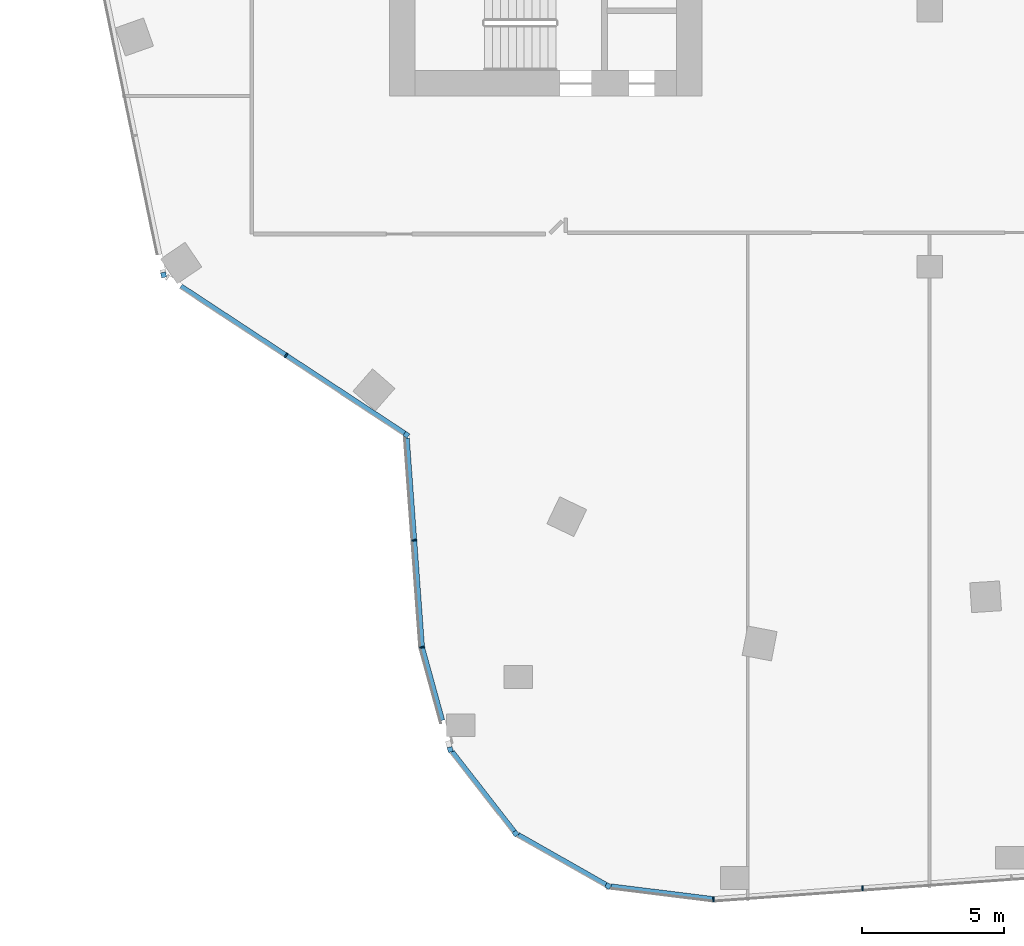
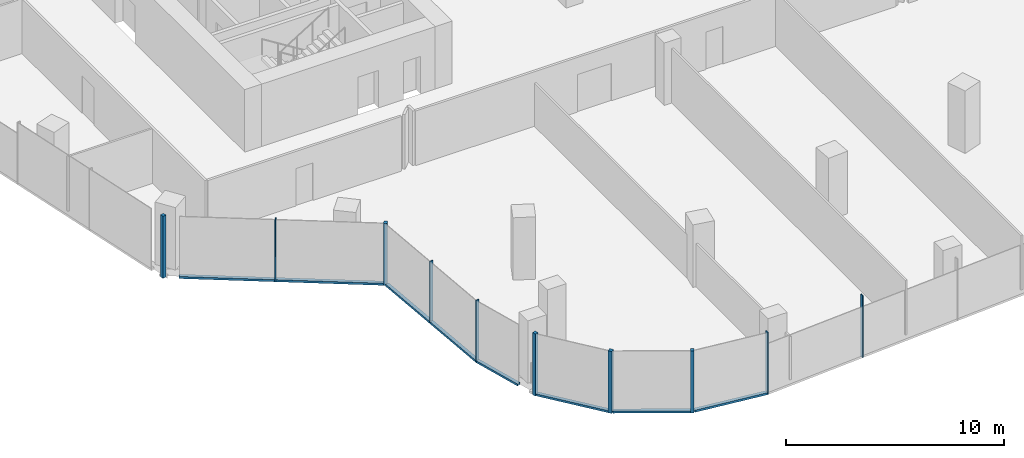
# One storey, part 2 of 24: 16 members, 8 elements without a shape of their own.
"""IFC4 building model written with IfcOpenShell, lengths in metres."""

from ifc_helpers import new_model, si_unit, direction, frame, origin, origin_2d, place, context, subcontext, project, spatial, rectangle, extrude, material, material_profile, profile_set, type_object, element, aggregate, save


model = new_model("IFC4")

# Units and contexts
model_context = context("Model", 3, precision=1e-05, world=origin(), true_north=direction((0.0, 1.0)))
body_context = subcontext(model_context, "Body", "Model", "MODEL_VIEW")
ifc_project = project(units=[si_unit("LENGTHUNIT", "METRE"), si_unit("AREAUNIT", "SQUARE_METRE"), si_unit("VOLUMEUNIT", "CUBIC_METRE"), si_unit("PLANEANGLEUNIT", "RADIAN"), si_unit("MASSUNIT", "GRAM", prefix="KILO")], contexts=[model_context])

# Site, building, storey
site_placement = place(None, origin())
site = spatial("IfcSite", under=ifc_project, at=site_placement, CompositionType="ELEMENT")
building_placement = place(site_placement, origin())
building = spatial("IfcBuilding", under=site, at=building_placement, Name="Orlundy Tower", CompositionType="ELEMENT")
storey_placement = place(building_placement, frame((0.0, 0.0, 246.0)))
storey = spatial("IfcBuildingStorey", under=building, at=storey_placement, Name="L65", CompositionType="ELEMENT", Elevation=246.0)

# Curtain wall, member
ifc_material_1 = material(Name="Aluminium bronze anodised", Category="aluminium")
curtain_wall_type = type_object("IfcCurtainWallType", Name="CW1 wall", PredefinedType="NOTDEFINED", material=ifc_material_1)
curtain_wall_1_placement = place(storey_placement, origin())
curtain_wall_1 = element("IfcCurtainWall", 1, at=curtain_wall_1_placement, inside=storey, type_object=curtain_wall_type, Name="CW1 run 09", PredefinedType="NOTDEFINED")
ifc_material_2 = material(Name="Aluminium bronze anodised", Category="aluminium")
ifc_material_profile_1 = material_profile(ifc_material_2, rectangle(XDim=0.179931640625, YDim=0.179931640625, at=origin_2d()), Name="CW1 corner post 180x180")
ifc_profile_set_1 = profile_set([ifc_material_profile_1], Name="Aluminium bronze anodised")
member_type_1 = type_object("IfcMemberType", Name="CW1 corner post 180x180", PredefinedType="MULLION", material=ifc_profile_set_1)
member_1_placement = place(storey_placement, frame((-11.309814453125, -39.7880859375, -0.39990234375), z_axis=(0.0, 0.0, 1.0), x_axis=(-0.493754430095, -0.869601381531, 0.0)))
member_1 = element("IfcMember", 2, at=member_1_placement, type_object=member_type_1, Name="CW1 mullion 15", PredefinedType="MULLION", context=body_context, shape_type="SweptSolid", body=[
    extrude(rectangle(XDim=0.179931640625, YDim=0.179931640625, at=origin_2d()), origin(), (0.0, 0.0, 1.0), 3.47998046875),
])

curtain_wall_2_placement = place(storey_placement, origin())
curtain_wall_2 = element("IfcCurtainWall", 3, at=curtain_wall_2_placement, inside=storey, type_object=curtain_wall_type, Name="CW1 run 010", PredefinedType="NOTDEFINED")
member_2_placement = place(storey_placement, frame((-14.56396484375, -37.9404296875, -0.39990234375), z_axis=(0.0, 0.0, 1.0), x_axis=(-0.788858043661, -0.614575452611, 0.0)))
member_2 = element("IfcMember", 4, at=member_2_placement, type_object=member_type_1, Name="CW1 mullion 16", PredefinedType="MULLION", context=body_context, shape_type="SweptSolid", body=[
    extrude(rectangle(XDim=0.179931640625, YDim=0.179931640625, at=origin_2d()), origin(), (0.0, 0.0, 1.0), 3.47998046875),
])

curtain_wall_3_placement = place(storey_placement, origin())
curtain_wall_3 = element("IfcCurtainWall", 5, at=curtain_wall_3_placement, inside=storey, type_object=curtain_wall_type, Name="CW1 run 011", PredefinedType="NOTDEFINED")
member_3_placement = place(storey_placement, frame((-16.864013671875, -34.98828125, -0.39990234375), z_axis=(0.0, 0.0, 1.0), x_axis=(-0.964037920682, -0.265764722051, 0.0)))
member_3 = element("IfcMember", 6, at=member_3_placement, type_object=member_type_1, Name="CW1 mullion 17", PredefinedType="MULLION", context=body_context, shape_type="SweptSolid", body=[
    extrude(rectangle(XDim=0.179931640625, YDim=0.179931640625, at=origin_2d()), origin(), (0.0, 0.0, 1.0), 3.47998046875),
])

curtain_wall_4_placement = place(storey_placement, origin())
curtain_wall_4 = element("IfcCurtainWall", 7, at=curtain_wall_4_placement, inside=storey, type_object=curtain_wall_type, Name="CW1 run 013", PredefinedType="NOTDEFINED")
member_4_placement = place(storey_placement, frame((-18.401611328125, -23.911865234375, -0.39990234375), z_axis=(0.0, 0.0, 1.0), x_axis=(-0.54952678446, -0.835476099694, 0.0)))
member_4 = element("IfcMember", 8, at=member_4_placement, type_object=member_type_1, Name="CW1 mullion 20", PredefinedType="MULLION", context=body_context, shape_type="SweptSolid", body=[
    extrude(rectangle(XDim=0.179931640625, YDim=0.179931640625, at=origin_2d()), origin(), (0.0, 0.0, 1.0), 3.47998046875),
])

curtain_wall_5_placement = place(storey_placement, origin())
curtain_wall_5 = element("IfcCurtainWall", 9, at=curtain_wall_5_placement, inside=storey, type_object=curtain_wall_type, Name="CW1 run 014", PredefinedType="NOTDEFINED")
member_5_placement = place(storey_placement, frame((-26.947509765625, -18.290771484375, -0.39990234375), z_axis=(0.0, 0.0, 1.0), x_axis=(-0.979337428215, -0.202233038095, 0.0)))
member_5 = element("IfcMember", 10, at=member_5_placement, type_object=member_type_1, Name="CW1 mullion 22", PredefinedType="MULLION", context=body_context, shape_type="SweptSolid", body=[
    extrude(rectangle(XDim=0.179931640625, YDim=0.179931640625, at=origin_2d()), origin(), (0.0, 0.0, 1.0), 3.47998046875),
])
aggregate(curtain_wall_5, [member_5])

curtain_wall_6_placement = place(storey_placement, origin())
curtain_wall_6 = element("IfcCurtainWall", 11, at=curtain_wall_6_placement, inside=storey, type_object=curtain_wall_type, Name="CW1 run 07", PredefinedType="NOTDEFINED")
ifc_material_3 = material(Name="Aluminium bronze anodised", Category="aluminium")
ifc_material_profile_2 = material_profile(ifc_material_3, rectangle(XDim=0.179931640625, YDim=0.050048828125, at=origin_2d()), Name="CW1 mullion 50x180")
ifc_profile_set_2 = profile_set([ifc_material_profile_2], Name="Aluminium bronze anodised")
member_type_2 = type_object("IfcMemberType", Name="CW1 mullion 50x180", PredefinedType="MULLION", material=ifc_profile_set_2)
member_6_placement = place(storey_placement, frame((-2.359375, -39.8671875, -0.39990234375), z_axis=(0.0, 0.0, 1.0), x_axis=(0.072668329988, -0.997356161969, 0.0)))
member_6 = element("IfcMember", 12, at=member_6_placement, type_object=member_type_2, Name="CW1 mullion 13", PredefinedType="MULLION", context=body_context, shape_type="SweptSolid", body=[
    extrude(rectangle(XDim=0.179931640625, YDim=0.050048828125, at=origin_2d()), origin(), (0.0, 0.0, 1.0), 3.47998046875),
])
aggregate(curtain_wall_6, [member_6])

curtain_wall_7_placement = place(storey_placement, origin())
curtain_wall_7 = element("IfcCurtainWall", 13, at=curtain_wall_7_placement, inside=storey, type_object=curtain_wall_type, Name="CW1 run 08", PredefinedType="NOTDEFINED")
member_7_placement = place(storey_placement, frame((-7.604248046875, -40.24951171875, -0.39990234375), z_axis=(0.0, 0.0, 1.0), x_axis=(-0.025557574662, -0.999673351839, 0.0)))
member_7 = element("IfcMember", 14, at=member_7_placement, type_object=member_type_2, Name="CW1 mullion 14", PredefinedType="MULLION", context=body_context, shape_type="SweptSolid", body=[
    extrude(rectangle(XDim=0.179931640625, YDim=0.050048828125, at=origin_2d()), origin(), (0.0, 0.0, 1.0), 3.47998046875),
])

# Curtain wall, members
curtain_wall_8_placement = place(storey_placement, origin())
curtain_wall_8 = element("IfcCurtainWall", 15, at=curtain_wall_8_placement, inside=storey, type_object=curtain_wall_type, Name="CW1 run 012", PredefinedType="NOTDEFINED")
member_8_placement = place(storey_placement, frame((-17.856201171875, -31.389404296875, -0.39990234375), z_axis=(0.0, 0.0, 1.0), x_axis=(-0.985431391159, -0.170073435074, 0.0)))
member_8 = element("IfcMember", 16, at=member_8_placement, type_object=member_type_2, Name="CW1 mullion 18", PredefinedType="MULLION", context=body_context, shape_type="SweptSolid", body=[
    extrude(rectangle(XDim=0.179931640625, YDim=0.050048828125, at=origin_2d()), origin(), (0.0, 0.0, 1.0), 3.47998046875),
])
member_9_placement = place(storey_placement, frame((-18.130859375, -27.6240234375, -0.39990234375), z_axis=(0.0, 0.0, 1.0), x_axis=(-0.997350428587, -0.072746976548, 0.0)))
member_9 = element("IfcMember", 17, at=member_9_placement, type_object=member_type_2, Name="CW1 mullion 19", PredefinedType="MULLION", context=body_context, shape_type="SweptSolid", body=[
    extrude(rectangle(XDim=0.179931640625, YDim=0.050048828125, at=origin_2d()), origin(), (0.0, 0.0, 1.0), 3.47998046875),
])

# Member
member_10_placement = place(storey_placement, frame((-22.640380859375, -21.123779296875, -0.39990234375), z_axis=(0.0, 0.0, 1.0), x_axis=(-0.54952678446, -0.835476099694, 0.0)))
member_10 = element("IfcMember", 18, at=member_10_placement, type_object=member_type_2, Name="CW1 mullion 21", PredefinedType="MULLION", context=body_context, shape_type="SweptSolid", body=[
    extrude(rectangle(XDim=0.179931640625, YDim=0.050048828125, at=origin_2d()), origin(), (0.0, 0.0, 1.0), 3.47998046875),
])

ifc_material_4 = material(Name="Aluminium bronze anodised", Category="aluminium")
ifc_material_profile_3 = material_profile(ifc_material_4, rectangle(XDim=0.179931640625, YDim=0.1201171875, at=origin_2d()), Name="CW1 transom 180x120")
ifc_profile_set_3 = profile_set([ifc_material_profile_3], Name="Aluminium bronze anodised")
member_type_3 = type_object("IfcMemberType", Name="CW1 transom 180x120", PredefinedType="USERDEFINED", material=ifc_profile_set_3)
member_11_placement = place(storey_placement, frame((-7.629150390625, -40.246337890625, -0.340087890625), z_axis=(-0.992336005458, 0.123568815938, 0.0), x_axis=(-0.123568815938, -0.992336005458, 0.0)))
member_11 = element("IfcMember", 19, at=member_11_placement, type_object=member_type_3, Name="CW1 transom", ObjectType="TRANSOM", PredefinedType="USERDEFINED", context=body_context, shape_type="SweptSolid", body=[
    extrude(rectangle(XDim=0.179931640625, YDim=0.1201171875, at=origin_2d()), origin(), (0.0, 0.0, 1.0), 3.611572265625),
])

aggregate(curtain_wall_7, [member_7, member_11])

member_12_placement = place(storey_placement, frame((-11.38818359375, -39.74365234375, -0.340087890625), z_axis=(-0.869596650944, 0.493762761523, 0.0), x_axis=(-0.493762761523, -0.869596650944, 0.0)))
member_12 = element("IfcMember", 20, at=member_12_placement, type_object=member_type_3, Name="CW1 transom", ObjectType="TRANSOM", PredefinedType="USERDEFINED", context=body_context, shape_type="SweptSolid", body=[
    extrude(rectangle(XDim=0.179931640625, YDim=0.1201171875, at=origin_2d()), origin(), (0.0, 0.0, 1.0), 3.5546875),
])

aggregate(curtain_wall_1, [member_1, member_12])

member_13_placement = place(storey_placement, frame((-14.619384765625, -37.869384765625, -0.340087890625), z_axis=(-0.614567998648, 0.788863850762, 0.0), x_axis=(-0.788863850762, -0.614567998648, 0.0)))
member_13 = element("IfcMember", 21, at=member_13_placement, type_object=member_type_3, Name="CW1 transom", ObjectType="TRANSOM", PredefinedType="USERDEFINED", context=body_context, shape_type="SweptSolid", body=[
    extrude(rectangle(XDim=0.179931640625, YDim=0.1201171875, at=origin_2d()), origin(), (0.0, 0.0, 1.0), 3.554931640625),
])

aggregate(curtain_wall_2, [member_2, member_13])

member_14_placement = place(storey_placement, frame((-17.14697265625, -33.961669921875, -0.340087890625), z_axis=(-0.265742522211, 0.96404404043, 0.0), x_axis=(-0.96404404043, -0.265742522211, 0.0)))
member_14 = element("IfcMember", 22, at=member_14_placement, type_object=member_type_3, Name="CW1 transom", ObjectType="TRANSOM", PredefinedType="USERDEFINED", context=body_context, shape_type="SweptSolid", body=[
    extrude(rectangle(XDim=0.179931640625, YDim=0.1201171875, at=origin_2d()), origin(), (0.0, 0.0, 1.0), 2.64306640625),
])

aggregate(curtain_wall_3, [member_3, member_14])

member_15_placement = place(storey_placement, frame((-17.85791015625, -31.3642578125, -0.340087890625), z_axis=(-0.072755906506, 0.997349777194, 0.0), x_axis=(-0.997349777194, -0.072755906506, 0.0)))
member_15 = element("IfcMember", 23, at=member_15_placement, type_object=member_type_3, Name="CW1 transom", ObjectType="TRANSOM", PredefinedType="USERDEFINED", context=body_context, shape_type="SweptSolid", body=[
    extrude(rectangle(XDim=0.179931640625, YDim=0.1201171875, at=origin_2d()), origin(), (0.0, 0.0, 1.0), 7.35888671875),
])

aggregate(curtain_wall_8, [member_8, member_9, member_15])

member_16_placement = place(storey_placement, frame((-18.476806640625, -23.8623046875, -0.340087890625), z_axis=(-0.835475394817, 0.549527856123, 0.0), x_axis=(-0.549527856123, -0.835475394817, 0.0)))
member_16 = element("IfcMember", 24, at=member_16_placement, type_object=member_type_3, Name="CW1 transom", ObjectType="TRANSOM", PredefinedType="USERDEFINED", context=body_context, shape_type="SweptSolid", body=[
    extrude(rectangle(XDim=0.179931640625, YDim=0.1201171875, at=origin_2d()), origin(), (0.0, 0.0, 1.0), 9.408935546875),
])

aggregate(curtain_wall_4, [member_4, member_10, member_16])

save(model, "model.ifc")
